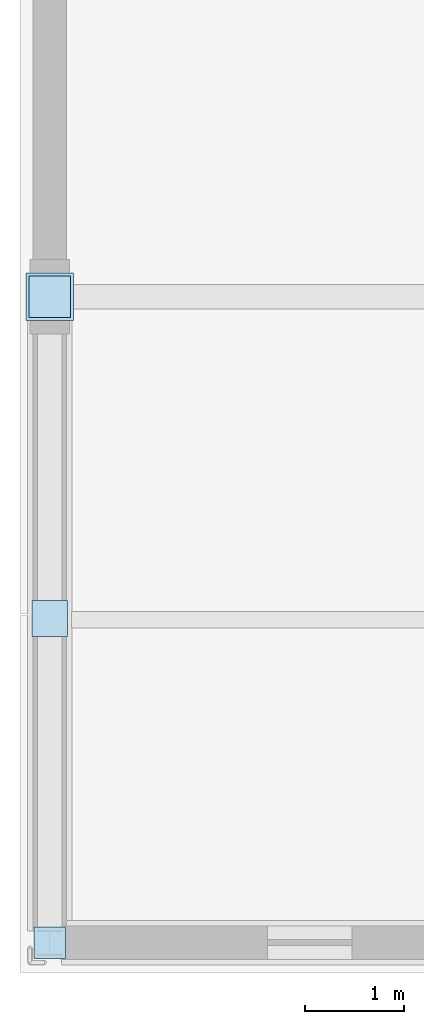
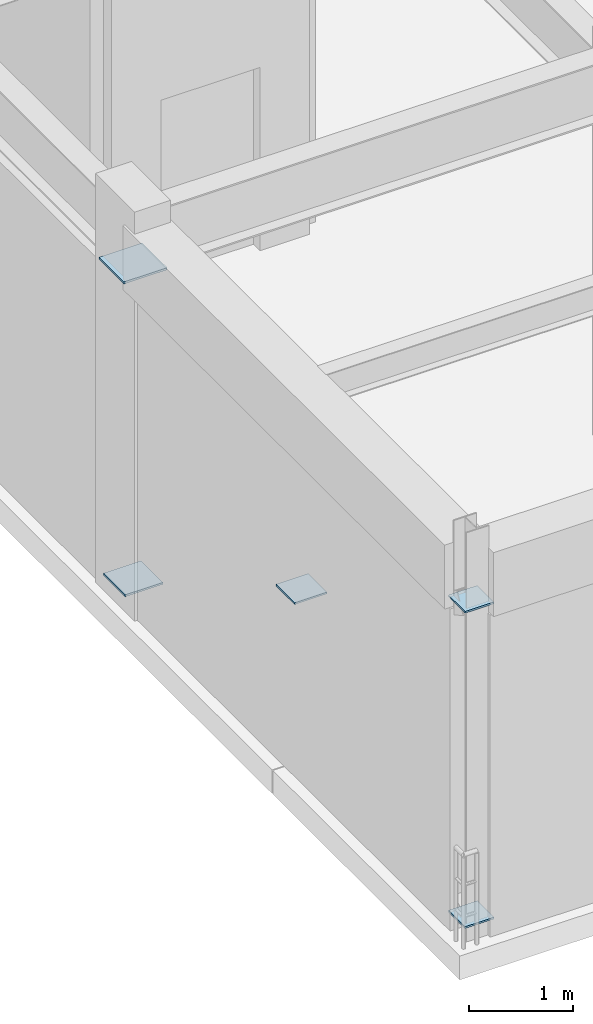
# One storey, part 92 of 144: 5 plates.
"""IFC4 building model written with IfcOpenShell, lengths in metres."""

from ifc_helpers import new_model, si_unit, direction, frame, origin, origin_2d, place, context, subcontext, project, spatial, rectangle, extrude, material, layer, layer_set, type_object, element, save


model = new_model("IFC4")

# Units and contexts
model_context = context("Model", 3, precision=1e-05, world=origin(), true_north=direction((0.0, 1.0)))
body_context = subcontext(model_context, "Body", "Model", "MODEL_VIEW")
ifc_project = project(units=[si_unit("LENGTHUNIT", "METRE"), si_unit("AREAUNIT", "SQUARE_METRE"), si_unit("VOLUMEUNIT", "CUBIC_METRE"), si_unit("PLANEANGLEUNIT", "RADIAN"), si_unit("MASSUNIT", "GRAM", prefix="KILO")], contexts=[model_context])

# Site, building, storey
site_placement = place(None, origin())
site = spatial("IfcSite", under=ifc_project, at=site_placement, CompositionType="ELEMENT")
building_placement = place(site_placement, origin())
building = spatial("IfcBuilding", under=site, at=building_placement, Name="Cinderbank Siding Concert Hall", CompositionType="ELEMENT")
storey_placement = place(building_placement, frame((0.0, 0.0, 5.39990234375)))
storey = spatial("IfcBuildingStorey", under=building, at=storey_placement, Name="L02", CompositionType="ELEMENT", Elevation=5.39990234375)

# Plates
ifc_material = material(Name="Structural steel welded plate section AS/NZS 3679.2 / AS/NZS 3678 Grade 350 (340 MPa)", Category="steel")
ifc_layer_1 = layer(ifc_material, 0.02490234375)
ifc_layer_set_1 = layer_set([ifc_layer_1], Name="Structural steel welded plate section AS/NZS 3679.2 / AS/NZS 3678 Grade 350 (340 MPa)")
plate_type_1 = type_object("IfcPlateType", Name="GP-01 Steel Gusset Cap Plate 480x480x25", PredefinedType="SHEET", material=ifc_layer_set_1)
plate_1_placement = place(storey_placement, frame((7.10009765625, 12.60009765625, 3.8876953125), z_axis=(0.0, 0.0, 1.0), x_axis=(0.0, 1.0, 0.0)))
element("IfcPlate", 1, at=plate_1_placement, inside=storey, type_object=plate_type_1, Name="L02 Steel Node Gusset Plate GP-01 #1364", PredefinedType="SHEET", context=body_context, shape_type="SweptSolid", body=[
    extrude(rectangle(XDim=0.47998046875, YDim=0.47998046875, at=origin_2d()), origin(), (0.0, 0.0, 1.0), 0.02490234375),
])
ifc_layer_2 = layer(ifc_material, 0.02197265625)
ifc_layer_set_2 = layer_set([ifc_layer_2], Name="Structural steel welded plate section AS/NZS 3679.2 / AS/NZS 3678 Grade 350 (340 MPa)")
plate_type_2 = type_object("IfcPlateType", Name="GP-02 Steel Gusset Cap Plate 420x420x22", PredefinedType="SHEET", material=ifc_layer_set_2)
plate_2_placement = place(storey_placement, frame((7.10009765625, 12.60009765625, 0.189208984375), z_axis=(0.0, 0.0, 1.0), x_axis=(0.0, -1.0, 0.0)))
element("IfcPlate", 2, at=plate_2_placement, inside=storey, type_object=plate_type_2, Name="L02 Steel Node Gusset Plate GP-02 #1365", PredefinedType="SHEET", context=body_context, shape_type="SweptSolid", body=[
    extrude(rectangle(XDim=0.419921875, YDim=0.419921875, at=origin_2d()), origin(), (0.0, 0.0, 1.0), 0.02197265625),
])
ifc_layer_3 = layer(ifc_material, 0.02001953125)
ifc_layer_set_3 = layer_set([ifc_layer_3], Name="Structural steel welded plate section AS/NZS 3679.2 / AS/NZS 3678 Grade 350 (340 MPa)")
plate_type_3 = type_object("IfcPlateType", Name="GP-03 Steel Gusset Cap Plate 360x360x20", PredefinedType="SHEET", material=ifc_layer_set_3)
plate_3_placement = place(storey_placement, frame((7.10009765625, 9.363037109375, 2.03271484375), z_axis=(0.0, 0.0, 1.0), x_axis=(0.0, -1.0, 0.0)))
element("IfcPlate", 3, at=plate_3_placement, inside=storey, type_object=plate_type_3, Name="L02 Steel Node Gusset Plate GP-03 #1366", PredefinedType="SHEET", context=body_context, shape_type="SweptSolid", body=[
    extrude(rectangle(XDim=0.360107421875, YDim=0.360107421875, at=origin_2d()), origin(), (0.0, 0.0, 1.0), 0.02001953125),
])
ifc_layer_4 = layer(ifc_material, 0.02099609375)
ifc_layer_set_4 = layer_set([ifc_layer_4], Name="Structural steel welded plate section AS/NZS 3679.2 / AS/NZS 3678 Grade 350 (340 MPa)")
plate_type_4 = type_object("IfcPlateType", Name="GP-04 Steel Gusset Cap Plate 320x320x21", PredefinedType="SHEET", material=ifc_layer_set_4)
for number, where, z_axis, x_axis, name in (
    (4, (7.10009765625, 6.10009765625, 0.189697265625), (0.0, 0.0, 1.0), (0.0, 1.0, 0.0), "L02 Steel Node Gusset Plate GP-04 #1363"),
    (5, (7.10009765625, 6.10009765625, 3.8896484375), (0.0, 0.0, 1.0), (0.0, -1.0, 0.0), "L02 Steel Node Gusset Plate GP-04 #1367"),
):
    element("IfcPlate", number, at=place(storey_placement, frame(where, z_axis=z_axis, x_axis=x_axis)), inside=storey, type_object=plate_type_4, Name=name, PredefinedType="SHEET", context=body_context, shape_type="SweptSolid", body=[
        extrude(rectangle(XDim=0.320068359375, YDim=0.320068359375, at=origin_2d()), origin(), (0.0, 0.0, 1.0), 0.02099609375),
    ])

save(model, "model.ifc")
